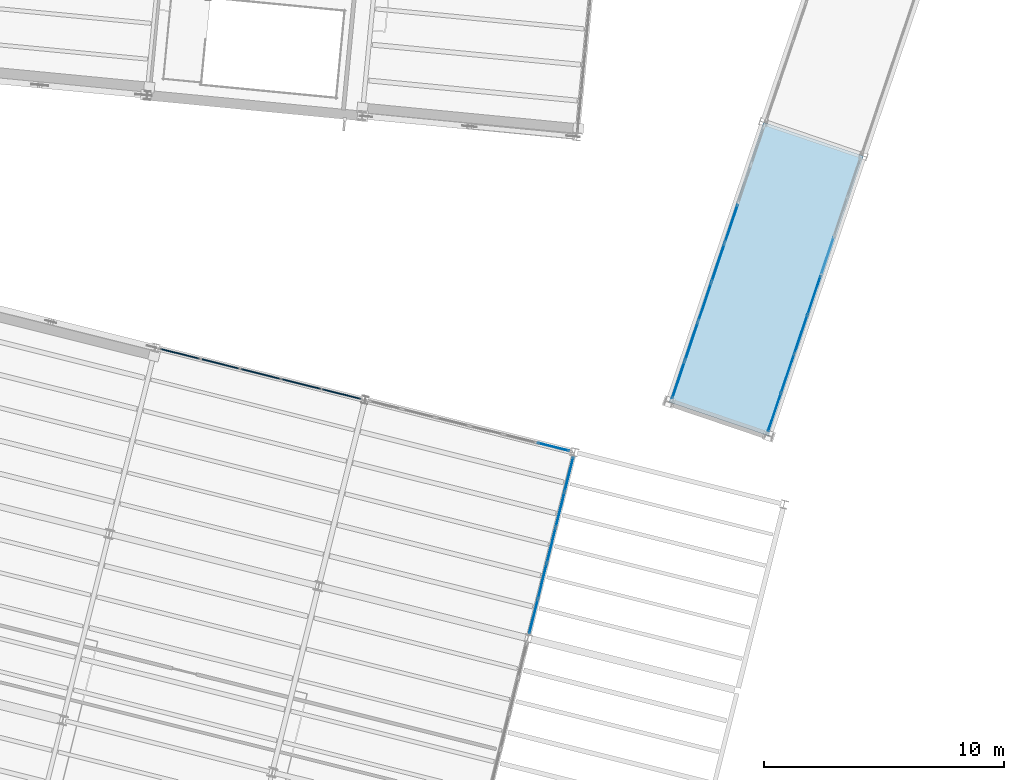
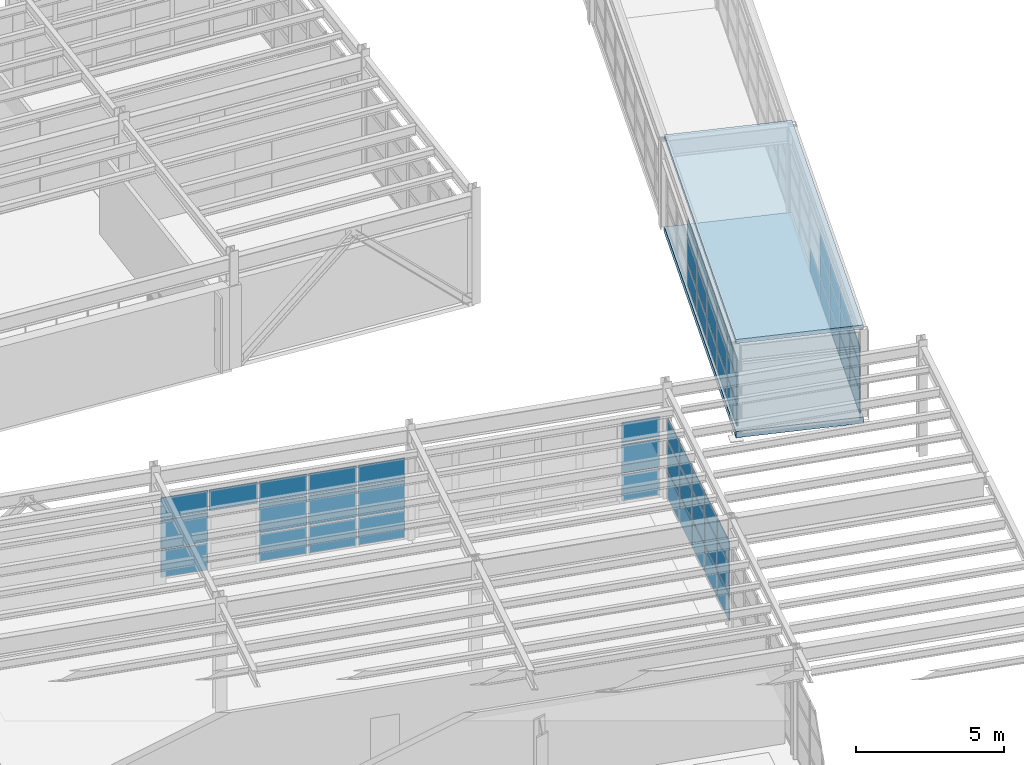
# One storey, part 64 of 102: 59 plates, 2 slabs, 5 elements without a shape of their own.
"""IFC4 building model written with IfcOpenShell, lengths in metres."""

from ifc_helpers import new_model, si_unit, direction, frame, origin, origin_2d, place, context, subcontext, project, spatial, polyline, rectangle, outline, extrude, material, layer, layer_set, type_object, element, aggregate, save


model = new_model("IFC4")

# Units and contexts
model_context = context("Model", 3, precision=1e-05, world=origin(), true_north=direction((0.0, 1.0)))
body_context = subcontext(model_context, "Body", "Model", "MODEL_VIEW")
ifc_project = project(units=[si_unit("LENGTHUNIT", "METRE"), si_unit("AREAUNIT", "SQUARE_METRE"), si_unit("VOLUMEUNIT", "CUBIC_METRE"), si_unit("PLANEANGLEUNIT", "RADIAN"), si_unit("MASSUNIT", "GRAM", prefix="KILO")], contexts=[model_context])

# Site, building, storey
site_placement = place(None, origin())
site = spatial("IfcSite", under=ifc_project, at=site_placement, CompositionType="ELEMENT")
building_placement = place(site_placement, origin())
building = spatial("IfcBuilding", under=site, at=building_placement, Name="Vireo Bluff Cable Station", CompositionType="ELEMENT")
storey_placement = place(building_placement, frame((0.0, 0.0, 9.60009765625)))
storey = spatial("IfcBuildingStorey", under=building, at=storey_placement, Name="L02", CompositionType="ELEMENT", Elevation=9.60009765625)

# Curtain wall, plates
ifc_material_1 = material(Name="Anodized Aluminium 6063-T6", Category="aluminium")
ifc_layer_1 = layer(ifc_material_1, 0.179931640625, Name="Anodized Aluminium 6063-T6")
ifc_layer_set_1 = layer_set([ifc_layer_1], Name="Anodized Aluminium 6063-T6")
curtain_wall_type_1 = type_object("IfcCurtainWallType", Name="CW-UNIT-1400", PredefinedType="USERDEFINED", material=ifc_layer_set_1)
curtain_wall_1_placement = place(storey_placement, origin())
curtain_wall_1 = element("IfcCurtainWall", 1, at=curtain_wall_1_placement, inside=storey, type_object=curtain_wall_type_1, Name="V1 L02 north curtain wall CW-015", ObjectType="UNITISED CURTAIN WALL", PredefinedType="USERDEFINED")
ifc_material_2 = material(Name="Laminated Low-E Insulated Glass", Category="glass")
ifc_layer_2 = layer(ifc_material_2, 0.028076171875, Name="Laminated Low-E Insulated Glass")
ifc_layer_set_2 = layer_set([ifc_layer_2], Name="Laminated Low-E Insulated Glass")
plate_type_1 = type_object("IfcPlateType", Name="CWP-28-1", PredefinedType="CURTAIN_PANEL", material=ifc_layer_set_2)
plate_1_placement = place(storey_placement, frame((102.591796875, 50.619384765625, 0.080078125), z_axis=(0.0, 0.0, 1.0), x_axis=(0.970295736701, -0.241921853788, 0.0)))
plate_1 = element("IfcPlate", 2, at=plate_1_placement, type_object=plate_type_1, Name="CW-015 panel 6.1", PredefinedType="CURTAIN_PANEL", context=body_context, shape_type="SweptSolid", body=[
    extrude(rectangle(XDim=1.33203125, YDim=0.028076171875, at=origin_2d()), origin(), (0.0, 0.0, 1.0), 1.070068359375),
])
plate_2_placement = place(storey_placement, frame((102.591796875, 50.619384765625, 1.22998046875), z_axis=(0.0, 0.0, 1.0), x_axis=(0.970295736701, -0.241921853788, 0.0)))
plate_2 = element("IfcPlate", 3, at=plate_2_placement, type_object=plate_type_1, Name="CW-015 panel 6.2", PredefinedType="CURTAIN_PANEL", context=body_context, shape_type="SweptSolid", body=[
    extrude(rectangle(XDim=1.33203125, YDim=0.028076171875, at=origin_2d()), origin(), (0.0, 0.0, 1.0), 1.177978515625),
])
plate_3_placement = place(storey_placement, frame((102.591796875, 50.619384765625, 2.48779296875), z_axis=(0.0, 0.0, 1.0), x_axis=(0.970295736701, -0.241921853788, 0.0)))
plate_3 = element("IfcPlate", 4, at=plate_3_placement, type_object=plate_type_1, Name="CW-015 panel 6.3", PredefinedType="CURTAIN_PANEL", context=body_context, shape_type="SweptSolid", body=[
    extrude(rectangle(XDim=1.33203125, YDim=0.028076171875, at=origin_2d()), origin(), (0.0, 0.0, 1.0), 0.83203125),
])
aggregate(curtain_wall_1, [plate_1, plate_2, plate_3])

ifc_layer_3 = layer(ifc_material_1, 0.179931640625, Name="Anodized Aluminium 6063-T6")
ifc_layer_set_3 = layer_set([ifc_layer_3], Name="Anodized Aluminium 6063-T6")
curtain_wall_type_2 = type_object("IfcCurtainWallType", Name="CW-UNIT-1500", PredefinedType="USERDEFINED", material=ifc_layer_set_3)
curtain_wall_2_placement = place(storey_placement, origin())
curtain_wall_2 = element("IfcCurtainWall", 5, at=curtain_wall_2_placement, inside=storey, type_object=curtain_wall_type_2, Name="V1 L02 east curtain wall CW-016", ObjectType="UNITISED CURTAIN WALL", PredefinedType="USERDEFINED")
ifc_layer_4 = layer(ifc_material_2, 0.031982421875, Name="Laminated Low-E Insulated Glass")
ifc_layer_set_4 = layer_set([ifc_layer_4], Name="Laminated Low-E Insulated Glass")
plate_type_2 = type_object("IfcPlateType", Name="CWP-32-2", PredefinedType="CURTAIN_PANEL", material=ifc_layer_set_4)
plate_4_placement = place(storey_placement, frame((103.2392578125, 49.477294921875, 0.06494140625), z_axis=(0.0, 0.0, 1.0), x_axis=(-0.241921903136, -0.970295724397, 0.0)))
plate_4 = element("IfcPlate", 6, at=plate_4_placement, type_object=plate_type_2, Name="CW-016 panel 1.1", PredefinedType="CURTAIN_PANEL", context=body_context, shape_type="SweptSolid", body=[
    extrude(rectangle(XDim=1.43603515625, YDim=0.031982421875, at=origin_2d()), origin(), (0.0, 0.0, 1.0), 1.092529296875),
])
plate_5_placement = place(storey_placement, frame((103.2392578125, 49.477294921875, 1.22216796875), z_axis=(0.0, 0.0, 1.0), x_axis=(-0.241921903136, -0.970295724397, 0.0)))
plate_5 = element("IfcPlate", 7, at=plate_5_placement, type_object=plate_type_2, Name="CW-016 panel 1.2", PredefinedType="CURTAIN_PANEL", context=body_context, shape_type="SweptSolid", body=[
    extrude(rectangle(XDim=1.43603515625, YDim=0.031982421875, at=origin_2d()), origin(), (0.0, 0.0, 1.0), 1.193115234375),
])
plate_6_placement = place(storey_placement, frame((103.2392578125, 49.477294921875, 2.48046875), z_axis=(0.0, 0.0, 1.0), x_axis=(-0.241921903136, -0.970295724397, 0.0)))
plate_6 = element("IfcPlate", 8, at=plate_6_placement, type_object=plate_type_2, Name="CW-016 panel 1.3", PredefinedType="CURTAIN_PANEL", context=body_context, shape_type="SweptSolid", body=[
    extrude(rectangle(XDim=1.43603515625, YDim=0.031982421875, at=origin_2d()), origin(), (0.0, 0.0, 1.0), 0.8544921875),
])
plate_7_placement = place(storey_placement, frame((102.8720703125, 48.005126953125, 0.06494140625), z_axis=(0.0, 0.0, 1.0), x_axis=(-0.241921903136, -0.970295724397, 0.0)))
plate_7 = element("IfcPlate", 9, at=plate_7_placement, type_object=plate_type_2, Name="CW-016 panel 2.1", PredefinedType="CURTAIN_PANEL", context=body_context, shape_type="SweptSolid", body=[
    extrude(rectangle(XDim=1.468505859375, YDim=0.031982421875, at=origin_2d()), origin(), (0.0, 0.0, 1.0), 1.092529296875),
])
plate_8_placement = place(storey_placement, frame((102.8720703125, 48.005126953125, 1.22216796875), z_axis=(0.0, 0.0, 1.0), x_axis=(-0.241921903136, -0.970295724397, 0.0)))
plate_8 = element("IfcPlate", 10, at=plate_8_placement, type_object=plate_type_2, Name="CW-016 panel 2.2", PredefinedType="CURTAIN_PANEL", context=body_context, shape_type="SweptSolid", body=[
    extrude(rectangle(XDim=1.468505859375, YDim=0.031982421875, at=origin_2d()), origin(), (0.0, 0.0, 1.0), 1.193115234375),
])
plate_9_placement = place(storey_placement, frame((102.8720703125, 48.005126953125, 2.48046875), z_axis=(0.0, 0.0, 1.0), x_axis=(-0.241921903136, -0.970295724397, 0.0)))
plate_9 = element("IfcPlate", 11, at=plate_9_placement, type_object=plate_type_2, Name="CW-016 panel 2.3", PredefinedType="CURTAIN_PANEL", context=body_context, shape_type="SweptSolid", body=[
    extrude(rectangle(XDim=1.468505859375, YDim=0.031982421875, at=origin_2d()), origin(), (0.0, 0.0, 1.0), 0.8544921875),
])
plate_10_placement = place(storey_placement, frame((102.501220703125, 46.51708984375, 0.06494140625), z_axis=(0.0, 0.0, 1.0), x_axis=(-0.241921903136, -0.970295724397, 0.0)))
plate_10 = element("IfcPlate", 12, at=plate_10_placement, type_object=plate_type_2, Name="CW-016 panel 3.1", PredefinedType="CURTAIN_PANEL", context=body_context, shape_type="SweptSolid", body=[
    extrude(rectangle(XDim=1.468505859375, YDim=0.031982421875, at=origin_2d()), origin(), (0.0, 0.0, 1.0), 1.092529296875),
])
plate_11_placement = place(storey_placement, frame((102.501220703125, 46.51708984375, 1.22216796875), z_axis=(0.0, 0.0, 1.0), x_axis=(-0.241921903136, -0.970295724397, 0.0)))
plate_11 = element("IfcPlate", 13, at=plate_11_placement, type_object=plate_type_2, Name="CW-016 panel 3.2", PredefinedType="CURTAIN_PANEL", context=body_context, shape_type="SweptSolid", body=[
    extrude(rectangle(XDim=1.468505859375, YDim=0.031982421875, at=origin_2d()), origin(), (0.0, 0.0, 1.0), 1.193115234375),
])
plate_12_placement = place(storey_placement, frame((102.501220703125, 46.51708984375, 2.48046875), z_axis=(0.0, 0.0, 1.0), x_axis=(-0.241921903136, -0.970295724397, 0.0)))
plate_12 = element("IfcPlate", 14, at=plate_12_placement, type_object=plate_type_2, Name="CW-016 panel 3.3", PredefinedType="CURTAIN_PANEL", context=body_context, shape_type="SweptSolid", body=[
    extrude(rectangle(XDim=1.468505859375, YDim=0.031982421875, at=origin_2d()), origin(), (0.0, 0.0, 1.0), 0.8544921875),
])
plate_13_placement = place(storey_placement, frame((102.130126953125, 45.029052734375, 0.06494140625), z_axis=(0.0, 0.0, 1.0), x_axis=(-0.241921903136, -0.970295724397, 0.0)))
plate_13 = element("IfcPlate", 15, at=plate_13_placement, type_object=plate_type_2, Name="CW-016 panel 4.1", PredefinedType="CURTAIN_PANEL", context=body_context, shape_type="SweptSolid", body=[
    extrude(rectangle(XDim=1.468505859375, YDim=0.031982421875, at=origin_2d()), origin(), (0.0, 0.0, 1.0), 1.092529296875),
])
plate_14_placement = place(storey_placement, frame((102.130126953125, 45.029052734375, 1.22216796875), z_axis=(0.0, 0.0, 1.0), x_axis=(-0.241921903136, -0.970295724397, 0.0)))
plate_14 = element("IfcPlate", 16, at=plate_14_placement, type_object=plate_type_2, Name="CW-016 panel 4.2", PredefinedType="CURTAIN_PANEL", context=body_context, shape_type="SweptSolid", body=[
    extrude(rectangle(XDim=1.468505859375, YDim=0.031982421875, at=origin_2d()), origin(), (0.0, 0.0, 1.0), 1.193115234375),
])
plate_15_placement = place(storey_placement, frame((102.130126953125, 45.029052734375, 2.48046875), z_axis=(0.0, 0.0, 1.0), x_axis=(-0.241921903136, -0.970295724397, 0.0)))
plate_15 = element("IfcPlate", 17, at=plate_15_placement, type_object=plate_type_2, Name="CW-016 panel 4.3", PredefinedType="CURTAIN_PANEL", context=body_context, shape_type="SweptSolid", body=[
    extrude(rectangle(XDim=1.468505859375, YDim=0.031982421875, at=origin_2d()), origin(), (0.0, 0.0, 1.0), 0.8544921875),
])
plate_16_placement = place(storey_placement, frame((101.762939453125, 43.556640625, 0.06494140625), z_axis=(0.0, 0.0, 1.0), x_axis=(-0.241921903136, -0.970295724397, 0.0)))
plate_16 = element("IfcPlate", 18, at=plate_16_placement, type_object=plate_type_2, Name="CW-016 panel 5.1", PredefinedType="CURTAIN_PANEL", context=body_context, shape_type="SweptSolid", body=[
    extrude(rectangle(XDim=1.43603515625, YDim=0.031982421875, at=origin_2d()), origin(), (0.0, 0.0, 1.0), 1.092529296875),
])
plate_17_placement = place(storey_placement, frame((101.762939453125, 43.556640625, 1.22216796875), z_axis=(0.0, 0.0, 1.0), x_axis=(-0.241921903136, -0.970295724397, 0.0)))
plate_17 = element("IfcPlate", 19, at=plate_17_placement, type_object=plate_type_2, Name="CW-016 panel 5.2", PredefinedType="CURTAIN_PANEL", context=body_context, shape_type="SweptSolid", body=[
    extrude(rectangle(XDim=1.43603515625, YDim=0.031982421875, at=origin_2d()), origin(), (0.0, 0.0, 1.0), 1.193115234375),
])
plate_18_placement = place(storey_placement, frame((101.762939453125, 43.556640625, 2.48046875), z_axis=(0.0, 0.0, 1.0), x_axis=(-0.241921903136, -0.970295724397, 0.0)))
plate_18 = element("IfcPlate", 20, at=plate_18_placement, type_object=plate_type_2, Name="CW-016 panel 5.3", PredefinedType="CURTAIN_PANEL", context=body_context, shape_type="SweptSolid", body=[
    extrude(rectangle(XDim=1.43603515625, YDim=0.031982421875, at=origin_2d()), origin(), (0.0, 0.0, 1.0), 0.8544921875),
])
aggregate(curtain_wall_2, [plate_4, plate_5, plate_6, plate_7, plate_8, plate_9, plate_10, plate_11, plate_12, plate_13, plate_14, plate_15, plate_16, plate_17, plate_18])

ifc_layer_5 = layer(ifc_material_1, 0.159912109375, Name="Anodized Aluminium 6063-T6")
ifc_layer_set_5 = layer_set([ifc_layer_5], Name="Anodized Aluminium 6063-T6")
curtain_wall_type_3 = type_object("IfcCurtainWallType", Name="CW-STICK-1750", PredefinedType="USERDEFINED", material=ifc_layer_set_5)
curtain_wall_3_placement = place(storey_placement, origin())
curtain_wall_3 = element("IfcCurtainWall", 21, at=curtain_wall_3_placement, inside=storey, type_object=curtain_wall_type_3, Name="SKYBR L02 HAUL-DRIVE-1L curtain wall CW-146", ObjectType="STICK CURTAIN WALL", PredefinedType="USERDEFINED")
plate_19_placement = place(storey_placement, frame((111.8037109375, 52.05517578125, 0.059814453125), z_axis=(0.0, 0.0, 1.0), x_axis=(0.32036366354, 0.947294633724, 0.0)))
plate_19 = element("IfcPlate", 22, at=plate_19_placement, type_object=plate_type_2, Name="CW-146 panel 1.1", PredefinedType="CURTAIN_PANEL", context=body_context, shape_type="SweptSolid", body=[
    extrude(rectangle(XDim=1.635009765625, YDim=0.031982421875, at=origin_2d()), origin(), (0.0, 0.0, 1.0), 0.91796875),
])
plate_20_placement = place(storey_placement, frame((111.8037109375, 52.05517578125, 1.0380859375), z_axis=(0.0, 0.0, 1.0), x_axis=(0.32036366354, 0.947294633724, 0.0)))
plate_20 = element("IfcPlate", 23, at=plate_20_placement, type_object=plate_type_2, Name="CW-146 panel 1.2", PredefinedType="CURTAIN_PANEL", context=body_context, shape_type="SweptSolid", body=[
    extrude(rectangle(XDim=1.635009765625, YDim=0.031982421875, at=origin_2d()), origin(), (0.0, 0.0, 1.0), 1.005615234375),
])
plate_21_placement = place(storey_placement, frame((111.8037109375, 52.05517578125, 2.103515625), z_axis=(0.0, 0.0, 1.0), x_axis=(0.32036366354, 0.947294633724, 0.0)))
plate_21 = element("IfcPlate", 24, at=plate_21_placement, type_object=plate_type_2, Name="CW-146 panel 1.3", PredefinedType="CURTAIN_PANEL", context=body_context, shape_type="SweptSolid", body=[
    extrude(rectangle(XDim=1.635009765625, YDim=0.031982421875, at=origin_2d()), origin(), (0.0, 0.0, 1.0), 0.71630859375),
])
plate_22_placement = place(storey_placement, frame((112.3515625, 53.67529296875, 0.059814453125), z_axis=(0.0, 0.0, 1.0), x_axis=(0.32036366354, 0.947294633724, 0.0)))
plate_22 = element("IfcPlate", 25, at=plate_22_placement, type_object=plate_type_2, Name="CW-146 panel 2.1", PredefinedType="CURTAIN_PANEL", context=body_context, shape_type="SweptSolid", body=[
    extrude(rectangle(XDim=1.6650390625, YDim=0.031982421875, at=origin_2d()), origin(), (0.0, 0.0, 1.0), 0.91796875),
])
plate_23_placement = place(storey_placement, frame((112.3515625, 53.67529296875, 1.0380859375), z_axis=(0.0, 0.0, 1.0), x_axis=(0.32036366354, 0.947294633724, 0.0)))
plate_23 = element("IfcPlate", 26, at=plate_23_placement, type_object=plate_type_2, Name="CW-146 panel 2.2", PredefinedType="CURTAIN_PANEL", context=body_context, shape_type="SweptSolid", body=[
    extrude(rectangle(XDim=1.6650390625, YDim=0.031982421875, at=origin_2d()), origin(), (0.0, 0.0, 1.0), 1.005615234375),
])
plate_24_placement = place(storey_placement, frame((112.3515625, 53.67529296875, 2.103515625), z_axis=(0.0, 0.0, 1.0), x_axis=(0.32036366354, 0.947294633724, 0.0)))
plate_24 = element("IfcPlate", 27, at=plate_24_placement, type_object=plate_type_2, Name="CW-146 panel 2.3", PredefinedType="CURTAIN_PANEL", context=body_context, shape_type="SweptSolid", body=[
    extrude(rectangle(XDim=1.6650390625, YDim=0.031982421875, at=origin_2d()), origin(), (0.0, 0.0, 1.0), 0.71630859375),
])
plate_25_placement = place(storey_placement, frame((112.904052734375, 55.309326171875, 0.059814453125), z_axis=(0.0, 0.0, 1.0), x_axis=(0.32036366354, 0.947294633724, 0.0)))
plate_25 = element("IfcPlate", 28, at=plate_25_placement, type_object=plate_type_2, Name="CW-146 panel 3.1", PredefinedType="CURTAIN_PANEL", context=body_context, shape_type="SweptSolid", body=[
    extrude(rectangle(XDim=1.6650390625, YDim=0.031982421875, at=origin_2d()), origin(), (0.0, 0.0, 1.0), 0.91796875),
])
plate_26_placement = place(storey_placement, frame((112.904052734375, 55.309326171875, 1.0380859375), z_axis=(0.0, 0.0, 1.0), x_axis=(0.32036366354, 0.947294633724, 0.0)))
plate_26 = element("IfcPlate", 29, at=plate_26_placement, type_object=plate_type_2, Name="CW-146 panel 3.2", PredefinedType="CURTAIN_PANEL", context=body_context, shape_type="SweptSolid", body=[
    extrude(rectangle(XDim=1.6650390625, YDim=0.031982421875, at=origin_2d()), origin(), (0.0, 0.0, 1.0), 1.005615234375),
])
plate_27_placement = place(storey_placement, frame((112.904052734375, 55.309326171875, 2.103515625), z_axis=(0.0, 0.0, 1.0), x_axis=(0.32036366354, 0.947294633724, 0.0)))
plate_27 = element("IfcPlate", 30, at=plate_27_placement, type_object=plate_type_2, Name="CW-146 panel 3.3", PredefinedType="CURTAIN_PANEL", context=body_context, shape_type="SweptSolid", body=[
    extrude(rectangle(XDim=1.6650390625, YDim=0.031982421875, at=origin_2d()), origin(), (0.0, 0.0, 1.0), 0.71630859375),
])
plate_28_placement = place(storey_placement, frame((113.456787109375, 56.943603515625, 0.059814453125), z_axis=(0.0, 0.0, 1.0), x_axis=(0.32036366354, 0.947294633724, 0.0)))
plate_28 = element("IfcPlate", 31, at=plate_28_placement, type_object=plate_type_2, Name="CW-146 panel 4.1", PredefinedType="CURTAIN_PANEL", context=body_context, shape_type="SweptSolid", body=[
    extrude(rectangle(XDim=1.6650390625, YDim=0.031982421875, at=origin_2d()), origin(), (0.0, 0.0, 1.0), 0.91796875),
])
plate_29_placement = place(storey_placement, frame((113.456787109375, 56.943603515625, 1.0380859375), z_axis=(0.0, 0.0, 1.0), x_axis=(0.32036366354, 0.947294633724, 0.0)))
plate_29 = element("IfcPlate", 32, at=plate_29_placement, type_object=plate_type_2, Name="CW-146 panel 4.2", PredefinedType="CURTAIN_PANEL", context=body_context, shape_type="SweptSolid", body=[
    extrude(rectangle(XDim=1.6650390625, YDim=0.031982421875, at=origin_2d()), origin(), (0.0, 0.0, 1.0), 1.005615234375),
])
plate_30_placement = place(storey_placement, frame((113.456787109375, 56.943603515625, 2.103515625), z_axis=(0.0, 0.0, 1.0), x_axis=(0.32036366354, 0.947294633724, 0.0)))
plate_30 = element("IfcPlate", 33, at=plate_30_placement, type_object=plate_type_2, Name="CW-146 panel 4.3", PredefinedType="CURTAIN_PANEL", context=body_context, shape_type="SweptSolid", body=[
    extrude(rectangle(XDim=1.6650390625, YDim=0.031982421875, at=origin_2d()), origin(), (0.0, 0.0, 1.0), 0.71630859375),
])
plate_31_placement = place(storey_placement, frame((114.009521484375, 58.577880859375, 0.059814453125), z_axis=(0.0, 0.0, 1.0), x_axis=(0.32036366354, 0.947294633724, 0.0)))
plate_31 = element("IfcPlate", 34, at=plate_31_placement, type_object=plate_type_2, Name="CW-146 panel 5.1", PredefinedType="CURTAIN_PANEL", context=body_context, shape_type="SweptSolid", body=[
    extrude(rectangle(XDim=1.6650390625, YDim=0.031982421875, at=origin_2d()), origin(), (0.0, 0.0, 1.0), 0.91796875),
])
aggregate(curtain_wall_3, [plate_19, plate_20, plate_21, plate_22, plate_23, plate_24, plate_25, plate_26, plate_27, plate_28, plate_29, plate_30, plate_31])

ifc_layer_6 = layer(ifc_material_1, 0.159912109375, Name="Anodized Aluminium 6063-T6")
ifc_layer_set_6 = layer_set([ifc_layer_6], Name="Anodized Aluminium 6063-T6")
curtain_wall_type_4 = type_object("IfcCurtainWallType", Name="CW-STICK-1850", PredefinedType="USERDEFINED", material=ifc_layer_set_6)
curtain_wall_4_placement = place(storey_placement, origin())
curtain_wall_4 = element("IfcCurtainWall", 35, at=curtain_wall_4_placement, inside=storey, type_object=curtain_wall_type_4, Name="SKYBR L02 HAUL-DRIVE-1R curtain wall CW-147", ObjectType="STICK CURTAIN WALL", PredefinedType="USERDEFINED")
ifc_layer_7 = layer(ifc_material_2, 0.035888671875, Name="Laminated Low-E Insulated Glass")
ifc_layer_set_7 = layer_set([ifc_layer_7], Name="Laminated Low-E Insulated Glass")
plate_type_3 = type_object("IfcPlateType", Name="CWP-36-3", PredefinedType="CURTAIN_PANEL", material=ifc_layer_set_7)
plate_32_placement = place(storey_placement, frame((107.803955078125, 53.413330078125, 0.080078125), z_axis=(0.0, 0.0, 1.0), x_axis=(0.32036366354, 0.947294633724, 0.0)))
plate_32 = element("IfcPlate", 36, at=plate_32_placement, type_object=plate_type_3, Name="CW-147 panel 1.1", PredefinedType="CURTAIN_PANEL", context=body_context, shape_type="SweptSolid", body=[
    extrude(rectangle(XDim=1.60498046875, YDim=0.035888671875, at=origin_2d()), origin(), (0.0, 0.0, 1.0), 0.887939453125),
])
plate_33_placement = place(storey_placement, frame((107.803955078125, 53.413330078125, 1.0478515625), z_axis=(0.0, 0.0, 1.0), x_axis=(0.32036366354, 0.947294633724, 0.0)))
plate_33 = element("IfcPlate", 37, at=plate_33_placement, type_object=plate_type_3, Name="CW-147 panel 1.2", PredefinedType="CURTAIN_PANEL", context=body_context, shape_type="SweptSolid", body=[
    extrude(rectangle(XDim=1.60498046875, YDim=0.035888671875, at=origin_2d()), origin(), (0.0, 0.0, 1.0), 0.985595703125),
])
plate_34_placement = place(storey_placement, frame((107.803955078125, 53.413330078125, 2.11376953125), z_axis=(0.0, 0.0, 1.0), x_axis=(0.32036366354, 0.947294633724, 0.0)))
plate_34 = element("IfcPlate", 38, at=plate_34_placement, type_object=plate_type_3, Name="CW-147 panel 1.3", PredefinedType="CURTAIN_PANEL", context=body_context, shape_type="SweptSolid", body=[
    extrude(rectangle(XDim=1.60498046875, YDim=0.035888671875, at=origin_2d()), origin(), (0.0, 0.0, 1.0), 0.686279296875),
])
plate_35_placement = place(storey_placement, frame((108.35009765625, 55.028564453125, 0.080078125), z_axis=(0.0, 0.0, 1.0), x_axis=(0.32036366354, 0.947294633724, 0.0)))
plate_35 = element("IfcPlate", 39, at=plate_35_placement, type_object=plate_type_3, Name="CW-147 panel 2.1", PredefinedType="CURTAIN_PANEL", context=body_context, shape_type="SweptSolid", body=[
    extrude(rectangle(XDim=1.64501953125, YDim=0.035888671875, at=origin_2d()), origin(), (0.0, 0.0, 1.0), 0.887939453125),
])
plate_36_placement = place(storey_placement, frame((108.35009765625, 55.028564453125, 1.0478515625), z_axis=(0.0, 0.0, 1.0), x_axis=(0.32036366354, 0.947294633724, 0.0)))
plate_36 = element("IfcPlate", 40, at=plate_36_placement, type_object=plate_type_3, Name="CW-147 panel 2.2", PredefinedType="CURTAIN_PANEL", context=body_context, shape_type="SweptSolid", body=[
    extrude(rectangle(XDim=1.64501953125, YDim=0.035888671875, at=origin_2d()), origin(), (0.0, 0.0, 1.0), 0.985595703125),
])
plate_37_placement = place(storey_placement, frame((108.35009765625, 55.028564453125, 2.11376953125), z_axis=(0.0, 0.0, 1.0), x_axis=(0.32036366354, 0.947294633724, 0.0)))
plate_37 = element("IfcPlate", 41, at=plate_37_placement, type_object=plate_type_3, Name="CW-147 panel 2.3", PredefinedType="CURTAIN_PANEL", context=body_context, shape_type="SweptSolid", body=[
    extrude(rectangle(XDim=1.64501953125, YDim=0.035888671875, at=origin_2d()), origin(), (0.0, 0.0, 1.0), 0.686279296875),
])
plate_38_placement = place(storey_placement, frame((108.90283203125, 56.66259765625, 0.080078125), z_axis=(0.0, 0.0, 1.0), x_axis=(0.32036366354, 0.947294633724, 0.0)))
plate_38 = element("IfcPlate", 42, at=plate_38_placement, type_object=plate_type_3, Name="CW-147 panel 3.1", PredefinedType="CURTAIN_PANEL", context=body_context, shape_type="SweptSolid", body=[
    extrude(rectangle(XDim=1.64501953125, YDim=0.035888671875, at=origin_2d()), origin(), (0.0, 0.0, 1.0), 0.887939453125),
])
plate_39_placement = place(storey_placement, frame((108.90283203125, 56.66259765625, 1.0478515625), z_axis=(0.0, 0.0, 1.0), x_axis=(0.32036366354, 0.947294633724, 0.0)))
plate_39 = element("IfcPlate", 43, at=plate_39_placement, type_object=plate_type_3, Name="CW-147 panel 3.2", PredefinedType="CURTAIN_PANEL", context=body_context, shape_type="SweptSolid", body=[
    extrude(rectangle(XDim=1.64501953125, YDim=0.035888671875, at=origin_2d()), origin(), (0.0, 0.0, 1.0), 0.985595703125),
])
plate_40_placement = place(storey_placement, frame((108.90283203125, 56.66259765625, 2.11376953125), z_axis=(0.0, 0.0, 1.0), x_axis=(0.32036366354, 0.947294633724, 0.0)))
plate_40 = element("IfcPlate", 44, at=plate_40_placement, type_object=plate_type_3, Name="CW-147 panel 3.3", PredefinedType="CURTAIN_PANEL", context=body_context, shape_type="SweptSolid", body=[
    extrude(rectangle(XDim=1.64501953125, YDim=0.035888671875, at=origin_2d()), origin(), (0.0, 0.0, 1.0), 0.686279296875),
])
plate_41_placement = place(storey_placement, frame((109.455322265625, 58.296875, 0.080078125), z_axis=(0.0, 0.0, 1.0), x_axis=(0.32036366354, 0.947294633724, 0.0)))
plate_41 = element("IfcPlate", 45, at=plate_41_placement, type_object=plate_type_3, Name="CW-147 panel 4.1", PredefinedType="CURTAIN_PANEL", context=body_context, shape_type="SweptSolid", body=[
    extrude(rectangle(XDim=1.64501953125, YDim=0.035888671875, at=origin_2d()), origin(), (0.0, 0.0, 1.0), 0.887939453125),
])
plate_42_placement = place(storey_placement, frame((109.455322265625, 58.296875, 1.0478515625), z_axis=(0.0, 0.0, 1.0), x_axis=(0.32036366354, 0.947294633724, 0.0)))
plate_42 = element("IfcPlate", 46, at=plate_42_placement, type_object=plate_type_3, Name="CW-147 panel 4.2", PredefinedType="CURTAIN_PANEL", context=body_context, shape_type="SweptSolid", body=[
    extrude(rectangle(XDim=1.64501953125, YDim=0.035888671875, at=origin_2d()), origin(), (0.0, 0.0, 1.0), 0.985595703125),
])
plate_43_placement = place(storey_placement, frame((109.455322265625, 58.296875, 2.11376953125), z_axis=(0.0, 0.0, 1.0), x_axis=(0.32036366354, 0.947294633724, 0.0)))
plate_43 = element("IfcPlate", 47, at=plate_43_placement, type_object=plate_type_3, Name="CW-147 panel 4.3", PredefinedType="CURTAIN_PANEL", context=body_context, shape_type="SweptSolid", body=[
    extrude(rectangle(XDim=1.64501953125, YDim=0.035888671875, at=origin_2d()), origin(), (0.0, 0.0, 1.0), 0.686279296875),
])
plate_44_placement = place(storey_placement, frame((110.008056640625, 59.930908203125, 0.080078125), z_axis=(0.0, 0.0, 1.0), x_axis=(0.32036366354, 0.947294633724, 0.0)))
plate_44 = element("IfcPlate", 48, at=plate_44_placement, type_object=plate_type_3, Name="CW-147 panel 5.1", PredefinedType="CURTAIN_PANEL", context=body_context, shape_type="SweptSolid", body=[
    extrude(rectangle(XDim=1.64501953125, YDim=0.035888671875, at=origin_2d()), origin(), (0.0, 0.0, 1.0), 0.887939453125),
])
plate_45_placement = place(storey_placement, frame((110.008056640625, 59.930908203125, 1.0478515625), z_axis=(0.0, 0.0, 1.0), x_axis=(0.32036366354, 0.947294633724, 0.0)))
plate_45 = element("IfcPlate", 49, at=plate_45_placement, type_object=plate_type_3, Name="CW-147 panel 5.2", PredefinedType="CURTAIN_PANEL", context=body_context, shape_type="SweptSolid", body=[
    extrude(rectangle(XDim=1.64501953125, YDim=0.035888671875, at=origin_2d()), origin(), (0.0, 0.0, 1.0), 0.985595703125),
])
plate_46_placement = place(storey_placement, frame((110.008056640625, 59.930908203125, 2.11376953125), z_axis=(0.0, 0.0, 1.0), x_axis=(0.32036366354, 0.947294633724, 0.0)))
plate_46 = element("IfcPlate", 50, at=plate_46_placement, type_object=plate_type_3, Name="CW-147 panel 5.3", PredefinedType="CURTAIN_PANEL", context=body_context, shape_type="SweptSolid", body=[
    extrude(rectangle(XDim=1.64501953125, YDim=0.035888671875, at=origin_2d()), origin(), (0.0, 0.0, 1.0), 0.686279296875),
])
aggregate(curtain_wall_4, [plate_32, plate_33, plate_34, plate_35, plate_36, plate_37, plate_38, plate_39, plate_40, plate_41, plate_42, plate_43, plate_44, plate_45, plate_46])

ifc_layer_8 = layer(ifc_material_1, 0.179931640625, Name="Anodized Aluminium 6063-T6")
ifc_layer_set_8 = layer_set([ifc_layer_8], Name="Anodized Aluminium 6063-T6")
curtain_wall_type_5 = type_object("IfcCurtainWallType", Name="CW-UNIT-1650", PredefinedType="USERDEFINED", material=ifc_layer_set_8)
curtain_wall_5_placement = place(storey_placement, origin())
curtain_wall_5 = element("IfcCurtainWall", 51, at=curtain_wall_5_placement, inside=storey, type_object=curtain_wall_type_5, Name="V1 L02 north curtain wall CW-014", ObjectType="UNITISED CURTAIN WALL", PredefinedType="USERDEFINED")
ifc_material_3 = material(Name="Insulated Spandrel Glass Panel", Category="glass")
ifc_layer_9 = layer(ifc_material_3, 0.048095703125, Name="Insulated Spandrel Glass Panel")
ifc_layer_set_9 = layer_set([ifc_layer_9], Name="Insulated Spandrel Glass Panel")
plate_type_4 = type_object("IfcPlateType", Name="CWP-48-5", PredefinedType="CURTAIN_PANEL", material=ifc_layer_set_9)
plate_47_placement = place(storey_placement, frame((87.017822265625, 54.50244140625, 0.059814453125), z_axis=(0.0, 0.0, 1.0), x_axis=(0.970295709758, -0.241921961849, 0.0)))
plate_47 = element("IfcPlate", 52, at=plate_47_placement, type_object=plate_type_4, Name="CW-014 panel 1.1", PredefinedType="CURTAIN_PANEL", context=body_context, shape_type="SweptSolid", body=[
    extrude(rectangle(XDim=1.652587890625, YDim=0.048095703125, at=origin_2d()), origin(), (0.0, 0.0, 1.0), 1.10009765625),
])
plate_48_placement = place(storey_placement, frame((87.017822265625, 54.50244140625, 1.2197265625), z_axis=(0.0, 0.0, 1.0), x_axis=(0.970295709758, -0.241921961849, 0.0)))
plate_48 = element("IfcPlate", 53, at=plate_48_placement, type_object=plate_type_4, Name="CW-014 panel 1.2", PredefinedType="CURTAIN_PANEL", context=body_context, shape_type="SweptSolid", body=[
    extrude(rectangle(XDim=1.652587890625, YDim=0.048095703125, at=origin_2d()), origin(), (0.0, 0.0, 1.0), 1.197998046875),
])
plate_49_placement = place(storey_placement, frame((87.017822265625, 54.50244140625, 2.47802734375), z_axis=(0.0, 0.0, 1.0), x_axis=(0.970295709758, -0.241921961849, 0.0)))
plate_49 = element("IfcPlate", 54, at=plate_49_placement, type_object=plate_type_4, Name="CW-014 panel 1.3", PredefinedType="CURTAIN_PANEL", context=body_context, shape_type="SweptSolid", body=[
    extrude(rectangle(XDim=1.652587890625, YDim=0.048095703125, at=origin_2d()), origin(), (0.0, 0.0, 1.0), 0.862060546875),
])
plate_50_placement = place(storey_placement, frame((88.694091796875, 54.08447265625, 2.47802734375), z_axis=(0.0, 0.0, 1.0), x_axis=(0.970295709758, -0.241921961849, 0.0)))
plate_50 = element("IfcPlate", 55, at=plate_50_placement, type_object=plate_type_4, Name="CW-014 panel 2.3", PredefinedType="CURTAIN_PANEL", context=body_context, shape_type="SweptSolid", body=[
    extrude(rectangle(XDim=1.6826171875, YDim=0.048095703125, at=origin_2d()), origin(), (0.0, 0.0, 1.0), 0.862060546875),
])
plate_51_placement = place(storey_placement, frame((90.384765625, 53.6630859375, 0.059814453125), z_axis=(0.0, 0.0, 1.0), x_axis=(0.970295709758, -0.241921961849, 0.0)))
plate_51 = element("IfcPlate", 56, at=plate_51_placement, type_object=plate_type_4, Name="CW-014 panel 3.1", PredefinedType="CURTAIN_PANEL", context=body_context, shape_type="SweptSolid", body=[
    extrude(rectangle(XDim=1.6826171875, YDim=0.048095703125, at=origin_2d()), origin(), (0.0, 0.0, 1.0), 1.10009765625),
])
plate_52_placement = place(storey_placement, frame((90.384765625, 53.6630859375, 1.2197265625), z_axis=(0.0, 0.0, 1.0), x_axis=(0.970295709758, -0.241921961849, 0.0)))
plate_52 = element("IfcPlate", 57, at=plate_52_placement, type_object=plate_type_4, Name="CW-014 panel 3.2", PredefinedType="CURTAIN_PANEL", context=body_context, shape_type="SweptSolid", body=[
    extrude(rectangle(XDim=1.6826171875, YDim=0.048095703125, at=origin_2d()), origin(), (0.0, 0.0, 1.0), 1.197998046875),
])
plate_53_placement = place(storey_placement, frame((90.384765625, 53.6630859375, 2.47802734375), z_axis=(0.0, 0.0, 1.0), x_axis=(0.970295709758, -0.241921961849, 0.0)))
plate_53 = element("IfcPlate", 58, at=plate_53_placement, type_object=plate_type_4, Name="CW-014 panel 3.3", PredefinedType="CURTAIN_PANEL", context=body_context, shape_type="SweptSolid", body=[
    extrude(rectangle(XDim=1.6826171875, YDim=0.048095703125, at=origin_2d()), origin(), (0.0, 0.0, 1.0), 0.862060546875),
])
plate_54_placement = place(storey_placement, frame((92.075439453125, 53.241455078125, 0.059814453125), z_axis=(0.0, 0.0, 1.0), x_axis=(0.970295709758, -0.241921961849, 0.0)))
plate_54 = element("IfcPlate", 59, at=plate_54_placement, type_object=plate_type_4, Name="CW-014 panel 4.1", PredefinedType="CURTAIN_PANEL", context=body_context, shape_type="SweptSolid", body=[
    extrude(rectangle(XDim=1.6826171875, YDim=0.048095703125, at=origin_2d()), origin(), (0.0, 0.0, 1.0), 1.10009765625),
])
plate_55_placement = place(storey_placement, frame((92.075439453125, 53.241455078125, 1.2197265625), z_axis=(0.0, 0.0, 1.0), x_axis=(0.970295709758, -0.241921961849, 0.0)))
plate_55 = element("IfcPlate", 60, at=plate_55_placement, type_object=plate_type_4, Name="CW-014 panel 4.2", PredefinedType="CURTAIN_PANEL", context=body_context, shape_type="SweptSolid", body=[
    extrude(rectangle(XDim=1.6826171875, YDim=0.048095703125, at=origin_2d()), origin(), (0.0, 0.0, 1.0), 1.197998046875),
])
plate_56_placement = place(storey_placement, frame((92.075439453125, 53.241455078125, 2.47802734375), z_axis=(0.0, 0.0, 1.0), x_axis=(0.970295709758, -0.241921961849, 0.0)))
plate_56 = element("IfcPlate", 61, at=plate_56_placement, type_object=plate_type_4, Name="CW-014 panel 4.3", PredefinedType="CURTAIN_PANEL", context=body_context, shape_type="SweptSolid", body=[
    extrude(rectangle(XDim=1.6826171875, YDim=0.048095703125, at=origin_2d()), origin(), (0.0, 0.0, 1.0), 0.862060546875),
])
plate_57_placement = place(storey_placement, frame((93.751708984375, 52.823486328125, 0.059814453125), z_axis=(0.0, 0.0, 1.0), x_axis=(0.970295709758, -0.241921961849, 0.0)))
plate_57 = element("IfcPlate", 62, at=plate_57_placement, type_object=plate_type_4, Name="CW-014 panel 5.1", PredefinedType="CURTAIN_PANEL", context=body_context, shape_type="SweptSolid", body=[
    extrude(rectangle(XDim=1.652587890625, YDim=0.048095703125, at=origin_2d()), origin(), (0.0, 0.0, 1.0), 1.10009765625),
])
plate_58_placement = place(storey_placement, frame((93.751708984375, 52.823486328125, 1.2197265625), z_axis=(0.0, 0.0, 1.0), x_axis=(0.970295709758, -0.241921961849, 0.0)))
plate_58 = element("IfcPlate", 63, at=plate_58_placement, type_object=plate_type_4, Name="CW-014 panel 5.2", PredefinedType="CURTAIN_PANEL", context=body_context, shape_type="SweptSolid", body=[
    extrude(rectangle(XDim=1.652587890625, YDim=0.048095703125, at=origin_2d()), origin(), (0.0, 0.0, 1.0), 1.197998046875),
])
plate_59_placement = place(storey_placement, frame((93.751708984375, 52.823486328125, 2.47802734375), z_axis=(0.0, 0.0, 1.0), x_axis=(0.970295709758, -0.241921961849, 0.0)))
plate_59 = element("IfcPlate", 64, at=plate_59_placement, type_object=plate_type_4, Name="CW-014 panel 5.3", PredefinedType="CURTAIN_PANEL", context=body_context, shape_type="SweptSolid", body=[
    extrude(rectangle(XDim=1.652587890625, YDim=0.048095703125, at=origin_2d()), origin(), (0.0, 0.0, 1.0), 0.862060546875),
])
aggregate(curtain_wall_5, [plate_47, plate_48, plate_49, plate_50, plate_51, plate_52, plate_53, plate_54, plate_55, plate_56, plate_57, plate_58, plate_59])

# Slabs
ifc_material_4 = material(Name="Concrete f'c 40 MPa", Category="concrete")
ifc_layer_10 = layer(ifc_material_4, 0.260009765625, Name="Concrete f'c 40 MPa")
ifc_layer_set_10 = layer_set([ifc_layer_10], Name="Concrete f'c 40 MPa")
slab_type_1 = type_object("IfcSlabType", Name="FLOORSLAB-260", PredefinedType="FLOOR", material=ifc_layer_set_10)
slab_1_placement = place(storey_placement, frame((0.0, 0.0, -0.260009765625)))
element("IfcSlab", 65, at=slab_1_placement, inside=storey, type_object=slab_type_1, Name="HAUL-DRIVE enclosed skybridge floor slab 1", PredefinedType="FLOOR", context=body_context, shape_type="SweptSolid", body=[
    extrude(outline(polyline([(111.5673828125, 51.08203125), (115.512939453125, 62.748779296875), (111.3447265625, 64.158203125), (107.3994140625, 52.49169921875), (111.5673828125, 51.08203125)])), origin(), (0.0, 0.0, 1.0), 0.260009765625),
])
ifc_layer_11 = layer(ifc_material_4, 0.169921875, Name="Concrete f'c 40 MPa")
ifc_layer_set_11 = layer_set([ifc_layer_11], Name="Concrete f'c 40 MPa")
slab_type_2 = type_object("IfcSlabType", Name="ROOFSLAB-170-3", PredefinedType="ROOF", material=ifc_layer_set_11)
slab_2_placement = place(storey_placement, frame((0.0, 0.0, 3.6298828125)))
element("IfcSlab", 66, at=slab_2_placement, inside=storey, type_object=slab_type_2, Name="HAUL-DRIVE enclosed skybridge roof slab 1", PredefinedType="ROOF", context=body_context, shape_type="SweptSolid", body=[
    extrude(outline(polyline([(111.5673828125, 51.08203125), (115.512939453125, 62.748779296875), (111.3447265625, 64.158203125), (107.3994140625, 52.49169921875), (111.5673828125, 51.08203125)])), origin(), (0.0, 0.0, 1.0), 0.169921875),
])

save(model, "model.ifc")
